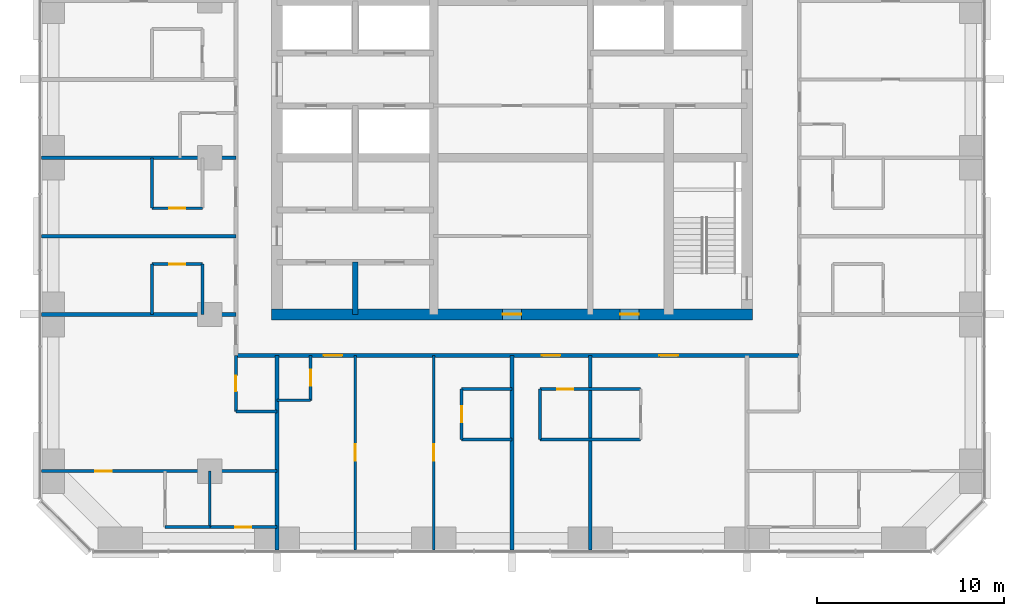
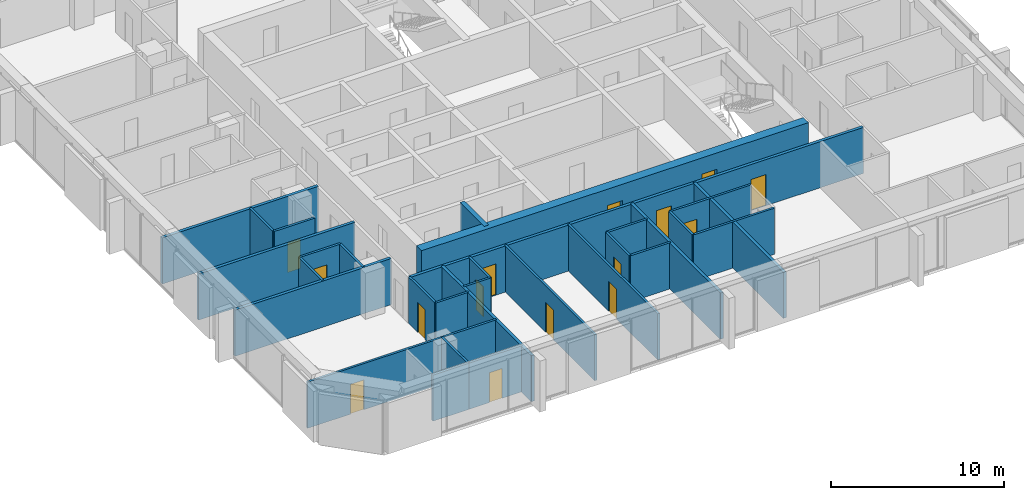
# One storey, part 8 of 13: 30 walls, 15 doors, 15 openings.
"""IFC4 building model written with IfcOpenShell, lengths in metres."""

from ifc_helpers import new_model, si_unit, direction, frame, frame_2d, origin, place, context, subcontext, project, spatial, rectangle, extrude, material, layer, layer_set, type_object, element, fill, save


model = new_model("IFC4")

# Units and contexts
model_context = context("Model", 3, precision=1e-05, world=origin(), true_north=direction((0.0, 1.0)))
body_context = subcontext(model_context, "Body", "Model", "MODEL_VIEW")
ifc_project = project(units=[si_unit("LENGTHUNIT", "METRE"), si_unit("AREAUNIT", "SQUARE_METRE"), si_unit("VOLUMEUNIT", "CUBIC_METRE"), si_unit("PLANEANGLEUNIT", "RADIAN"), si_unit("MASSUNIT", "GRAM", prefix="KILO")], contexts=[model_context])

# Site, building, storey
site_placement = place(None, origin())
site = spatial("IfcSite", under=ifc_project, at=site_placement, CompositionType="ELEMENT")
building_placement = place(site_placement, origin())
building = spatial("IfcBuilding", under=site, at=building_placement, Name="Dunama Terrace Hotel", CompositionType="ELEMENT")
storey_placement = place(building_placement, frame((0.0, 0.0, 205.800048828125)))
storey = spatial("IfcBuildingStorey", under=building, at=storey_placement, Name="L53", CompositionType="ELEMENT", Elevation=205.800048828125)

# Walls
ifc_material_1 = material(Name="Gypsum board partition", Category="masonry")
ifc_layer_1 = layer(ifc_material_1, 0.14990234375)
ifc_layer_set_1 = layer_set([ifc_layer_1], Name="Bathroom partition 150")
wall_type_1 = type_object("IfcWallType", Name="Bathroom partition 150", PredefinedType="PARTITIONING", material=ifc_layer_set_1)
for number, where, z_axis, x_axis, name in (
    (1, (10.10009765625, 16.800048828125, 0.0), (0.0, 0.0, 1.0), (0.0, 1.0, 0.0), "Bathroom partition 150 L53"),
    (2, (10.10009765625, 22.5, 0.0), (0.0, 0.0, 1.0), (0.0, 1.0, 0.0), "Bathroom partition 150 L53"),
    (3, (12.800048828125, 16.800048828125, 0.0), (0.0, 0.0, 1.0), (0.0, 1.0, 0.0), "Bathroom partition 150 L53"),
):
    element("IfcWall", number, at=place(storey_placement, frame(where, z_axis=z_axis, x_axis=x_axis)), inside=storey, type_object=wall_type_1, Name=name, PredefinedType="PARTITIONING", context=body_context, shape_type="SweptSolid", body=[
        extrude(rectangle(XDim=2.699951171875, YDim=0.14990234375, at=frame_2d((1.35009765625, 0.0))), origin(), (0.0, 0.0, 1.0), 3.25),
    ])

# Wall, opening, door
wall_1_placement = place(storey_placement, frame((14.60009765625, 11.60009765625, 0.0), z_axis=(0.0, 0.0, 1.0), x_axis=(0.0, 1.0, 0.0)))
wall_1 = element("IfcWall", 4, at=wall_1_placement, inside=storey, type_object=wall_type_1, Name="Bathroom partition 150 L53", PredefinedType="PARTITIONING", context=body_context, shape_type="SweptSolid", body=[
    extrude(rectangle(XDim=3.0, YDim=0.14990234375, at=frame_2d((1.5, 0.0))), origin(), (0.0, 0.0, 1.0), 3.25),
])
opening_1_placement = place(wall_1_placement, frame((1.074951171875, 0.0, 0.0)))
opening_1 = element("IfcOpeningElement", 5, at=opening_1_placement, cuts=wall_1, Name="Opening L53-54-041", PredefinedType="OPENING", context=body_context, shape_type="SweptSolid", body=[
    extrude(rectangle(XDim=0.85009765625, YDim=2.10009765625, at=frame_2d((0.425048828125, 1.050048828125))), frame((0.0, 0.0849609375, 0.0), z_axis=(0.0, -1.0, 0.0), x_axis=(1.0, 0.0, 0.0)), (0.0, 0.0, 1.0), 0.169921875),
])
ifc_material_2 = material(Name="Timber door with steel frame", Category="steel")
door_type_1 = type_object("IfcDoorType", Name="Bathroom door 850", OperationType="SINGLE_SWING_LEFT", PredefinedType="DOOR", material=ifc_material_2)
door_1_placement = place(opening_1_placement, frame((0.85009765625, 0.0, 0.0), z_axis=(0.0, 0.0, 1.0), x_axis=(-1.0, 0.0, 0.0)))
door_1 = element("IfcDoor", 6, at=door_1_placement, inside=storey, type_object=door_type_1, Name="Door to powder room L53-54-041, type D2", OperationType="SINGLE_SWING_LEFT", OverallHeight=2.10009765625, OverallWidth=0.85009765625, PredefinedType="DOOR", context=body_context, shape_type="SweptSolid", body=[
    extrude(rectangle(XDim=0.85009765625, YDim=2.10009765625, at=frame_2d((0.425048828125, 1.050048828125))), frame((0.0, 0.025146484375, 0.0), z_axis=(0.0, -1.0, 0.0), x_axis=(1.0, 0.0, 0.0)), (0.0, 0.0, 1.0), 0.050048828125),
])
fill(opening_1, door_1)

wall_2_placement = place(storey_placement, frame((18.60009765625, 12.199951171875, 0.0), z_axis=(0.0, 0.0, 1.0), x_axis=(0.0, 1.0, 0.0)))
wall_2 = element("IfcWall", 7, at=wall_2_placement, inside=storey, type_object=wall_type_1, Name="Bathroom partition 150 L53", PredefinedType="PARTITIONING", context=body_context, shape_type="SweptSolid", body=[
    extrude(rectangle(XDim=2.400146484375, YDim=0.14990234375, at=frame_2d((1.2001953125, 0.0))), origin(), (0.0, 0.0, 1.0), 3.25),
])
opening_2_placement = place(wall_2_placement, frame((0.77490234375, 0.0, 0.0)))
opening_2 = element("IfcOpeningElement", 8, at=opening_2_placement, cuts=wall_2, Name="Opening L53-54-010", PredefinedType="OPENING", context=body_context, shape_type="SweptSolid", body=[
    extrude(rectangle(XDim=0.85009765625, YDim=2.10009765625, at=frame_2d((0.425048828125, 1.050048828125))), frame((0.0, 0.0849609375, 0.0), z_axis=(0.0, -1.0, 0.0), x_axis=(1.0, 0.0, 0.0)), (0.0, 0.0, 1.0), 0.169921875),
])
door_2_placement = place(opening_2_placement, origin())
door_2 = element("IfcDoor", 9, at=door_2_placement, inside=storey, type_object=door_type_1, Name="Door to powder room L53-54-010, type D2", OperationType="SINGLE_SWING_RIGHT", OverallHeight=2.10009765625, OverallWidth=0.85009765625, PredefinedType="DOOR", context=body_context, shape_type="SweptSolid", body=[
    extrude(rectangle(XDim=0.85009765625, YDim=2.10009765625, at=frame_2d((0.425048828125, 1.050048828125))), frame((0.0, 0.02490234375, 0.0), z_axis=(0.0, -1.0, 0.0), x_axis=(1.0, 0.0, 0.0)), (0.0, 0.0, 1.0), 0.050048828125),
])
fill(opening_2, door_2)

wall_3_placement = place(storey_placement, frame((26.699951171875, 10.10009765625, 0.0), z_axis=(0.0, 0.0, 1.0), x_axis=(0.0, 1.0, 0.0)))
wall_3 = element("IfcWall", 10, at=wall_3_placement, inside=storey, type_object=wall_type_1, Name="Bathroom partition 150 L53", PredefinedType="PARTITIONING", context=body_context, shape_type="SweptSolid", body=[
    extrude(rectangle(XDim=2.699951171875, YDim=0.14990234375, at=frame_2d((1.35009765625, 0.0))), origin(), (0.0, 0.0, 1.0), 3.25),
])
opening_3_placement = place(wall_3_placement, frame((0.925048828125, 0.0, 0.0)))
opening_3 = element("IfcOpeningElement", 11, at=opening_3_placement, cuts=wall_3, Name="Opening L53-54-013", PredefinedType="OPENING", context=body_context, shape_type="SweptSolid", body=[
    extrude(rectangle(XDim=0.85009765625, YDim=2.10009765625, at=frame_2d((0.425048828125, 1.050048828125))), frame((0.0, 0.0849609375, 0.0), z_axis=(0.0, -1.0, 0.0), x_axis=(1.0, 0.0, 0.0)), (0.0, 0.0, 1.0), 0.169921875),
])
door_3_placement = place(opening_3_placement, frame((0.85009765625, 0.0, 0.0), z_axis=(0.0, 0.0, 1.0), x_axis=(-1.0, 0.0, 0.0)))
door_3 = element("IfcDoor", 12, at=door_3_placement, inside=storey, type_object=door_type_1, Name="Door to en-suite bathroom L53-54-013, type D2", OperationType="SINGLE_SWING_RIGHT", OverallHeight=2.10009765625, OverallWidth=0.85009765625, PredefinedType="DOOR", context=body_context, shape_type="SweptSolid", body=[
    extrude(rectangle(XDim=0.85009765625, YDim=2.10009765625, at=frame_2d((0.425048828125, 1.050048828125))), frame((0.0, 0.025146484375, 0.0), z_axis=(0.0, -1.0, 0.0), x_axis=(1.0, 0.0, 0.0)), (0.0, 0.0, 1.0), 0.050048828125),
])
fill(opening_3, door_3)

# Wall
wall_4_placement = place(storey_placement, frame((30.89990234375, 10.10009765625, 0.0), z_axis=(0.0, 0.0, 1.0), x_axis=(0.0, 1.0, 0.0)))
element("IfcWall", 13, at=wall_4_placement, inside=storey, type_object=wall_type_1, Name="Bathroom partition 150 L53", PredefinedType="PARTITIONING", context=body_context, shape_type="SweptSolid", body=[
    extrude(rectangle(XDim=2.699951171875, YDim=0.14990234375, at=frame_2d((1.35009765625, 0.0))), origin(), (0.0, 0.0, 1.0), 3.25),
])

# Wall, opening, door
wall_5_placement = place(storey_placement, frame((13.199951171875, 5.39990234375, 0.0), z_axis=(0.0, 0.0, 1.0), x_axis=(1.0, 0.0, 0.0)))
wall_5 = element("IfcWall", 14, at=wall_5_placement, inside=storey, type_object=wall_type_1, Name="Bathroom partition 150 L53", PredefinedType="PARTITIONING", context=body_context, shape_type="SweptSolid", body=[
    extrude(rectangle(XDim=3.60009765625, YDim=0.14990234375, at=frame_2d((1.800048828125, 0.0))), origin(), (0.0, 0.0, 1.0), 3.25),
])
opening_4_placement = place(wall_5_placement, frame((1.375, 0.0, 0.0)))
opening_4 = element("IfcOpeningElement", 15, at=opening_4_placement, cuts=wall_5, Name="Opening L53-54-043", PredefinedType="OPENING", context=body_context, shape_type="SweptSolid", body=[
    extrude(rectangle(XDim=0.85009765625, YDim=2.10009765625, at=frame_2d((0.425048828125, 1.050048828125))), frame((0.0, 0.0849609375, 0.0), z_axis=(0.0, -1.0, 0.0), x_axis=(1.0, 0.0, 0.0)), (0.0, 0.0, 1.0), 0.169921875),
])
door_4_placement = place(opening_4_placement, origin())
door_4 = element("IfcDoor", 16, at=door_4_placement, inside=storey, type_object=door_type_1, Name="Door to en-suite bathroom L53-54-043, type D2", OperationType="SINGLE_SWING_RIGHT", OverallHeight=2.10009765625, OverallWidth=0.85009765625, PredefinedType="DOOR", context=body_context, shape_type="SweptSolid", body=[
    extrude(rectangle(XDim=0.85009765625, YDim=2.10009765625, at=frame_2d((0.425048828125, 1.050048828125))), frame((0.0, 0.02490234375, 0.0), z_axis=(0.0, -1.0, 0.0), x_axis=(1.0, 0.0, 0.0)), (0.0, 0.0, 1.0), 0.050048828125),
])
fill(opening_4, door_4)

# Walls
wall_6_placement = place(storey_placement, frame((26.699951171875, 10.10009765625, 0.0), z_axis=(0.0, 0.0, 1.0), x_axis=(1.0, 0.0, 0.0)))
element("IfcWall", 17, at=wall_6_placement, inside=storey, type_object=wall_type_1, Name="Bathroom partition 150 L53", PredefinedType="PARTITIONING", context=body_context, shape_type="SweptSolid", body=[
    extrude(rectangle(XDim=2.699951171875, YDim=0.14990234375, at=frame_2d((1.35009765625, 0.0))), origin(), (0.0, 0.0, 1.0), 3.25),
])
wall_7_placement = place(storey_placement, frame((30.89990234375, 10.10009765625, 0.0), z_axis=(0.0, 0.0, 1.0), x_axis=(1.0, 0.0, 0.0)))
element("IfcWall", 18, at=wall_7_placement, inside=storey, type_object=wall_type_1, Name="Bathroom partition 150 L53", PredefinedType="PARTITIONING", context=body_context, shape_type="SweptSolid", body=[
    extrude(rectangle(XDim=5.400146484375, YDim=0.14990234375, at=frame_2d((2.7001953125, 0.0))), origin(), (0.0, 0.0, 1.0), 3.25),
])
wall_8_placement = place(storey_placement, frame((14.60009765625, 11.60009765625, 0.0), z_axis=(0.0, 0.0, 1.0), x_axis=(1.0, 0.0, 0.0)))
element("IfcWall", 19, at=wall_8_placement, inside=storey, type_object=wall_type_1, Name="Bathroom partition 150 L53", PredefinedType="PARTITIONING", context=body_context, shape_type="SweptSolid", body=[
    extrude(rectangle(XDim=2.199951171875, YDim=0.14990234375, at=frame_2d((1.10009765625, 0.0))), origin(), (0.0, 0.0, 1.0), 3.25),
])
wall_9_placement = place(storey_placement, frame((16.800048828125, 12.199951171875, 0.0), z_axis=(0.0, 0.0, 1.0), x_axis=(1.0, 0.0, 0.0)))
element("IfcWall", 20, at=wall_9_placement, inside=storey, type_object=wall_type_1, Name="Bathroom partition 150 L53", PredefinedType="PARTITIONING", context=body_context, shape_type="SweptSolid", body=[
    extrude(rectangle(XDim=1.800048828125, YDim=0.14990234375, at=frame_2d((0.89990234375, 0.0))), origin(), (0.0, 0.0, 1.0), 3.25),
])
wall_10_placement = place(storey_placement, frame((26.699951171875, 12.800048828125, 0.0), z_axis=(0.0, 0.0, 1.0), x_axis=(1.0, 0.0, 0.0)))
element("IfcWall", 21, at=wall_10_placement, inside=storey, type_object=wall_type_1, Name="Bathroom partition 150 L53", PredefinedType="PARTITIONING", context=body_context, shape_type="SweptSolid", body=[
    extrude(rectangle(XDim=2.699951171875, YDim=0.14990234375, at=frame_2d((1.35009765625, 0.0))), origin(), (0.0, 0.0, 1.0), 3.25),
])

# Wall, opening, door
wall_11_placement = place(storey_placement, frame((30.89990234375, 12.800048828125, 0.0), z_axis=(0.0, 0.0, 1.0), x_axis=(1.0, 0.0, 0.0)))
wall_11 = element("IfcWall", 22, at=wall_11_placement, inside=storey, type_object=wall_type_1, Name="Bathroom partition 150 L53", PredefinedType="PARTITIONING", context=body_context, shape_type="SweptSolid", body=[
    extrude(rectangle(XDim=5.400146484375, YDim=0.14990234375, at=frame_2d((2.7001953125, 0.0))), origin(), (0.0, 0.0, 1.0), 3.25),
])
opening_5_placement = place(wall_11_placement, frame((0.925048828125, 0.0, 0.0)))
opening_5 = element("IfcOpeningElement", 23, at=opening_5_placement, cuts=wall_11, Name="Opening L53-54-015", PredefinedType="OPENING", context=body_context, shape_type="SweptSolid", body=[
    extrude(rectangle(XDim=0.85009765625, YDim=2.10009765625, at=frame_2d((0.425048828125, 1.050048828125))), frame((0.0, 0.0849609375, 0.0), z_axis=(0.0, -1.0, 0.0), x_axis=(1.0, 0.0, 0.0)), (0.0, 0.0, 1.0), 0.169921875),
])
door_5_placement = place(opening_5_placement, frame((0.85009765625, 0.0, 0.0), z_axis=(0.0, 0.0, 1.0), x_axis=(-1.0, 0.0, 0.0)))
door_5 = element("IfcDoor", 24, at=door_5_placement, inside=storey, type_object=door_type_1, Name="Door to en-suite bathroom L53-54-015, type D2", OperationType="SINGLE_SWING_LEFT", OverallHeight=2.10009765625, OverallWidth=0.85009765625, PredefinedType="DOOR", context=body_context, shape_type="SweptSolid", body=[
    extrude(rectangle(XDim=0.85009765625, YDim=2.10009765625, at=frame_2d((0.425048828125, 1.050048828125))), frame((0.0, 0.025146484375, 0.0), z_axis=(0.0, -1.0, 0.0), x_axis=(1.0, 0.0, 0.0)), (0.0, 0.0, 1.0), 0.050048828125),
])
fill(opening_5, door_5)

wall_12_placement = place(storey_placement, frame((10.10009765625, 19.5, 0.0), z_axis=(0.0, 0.0, 1.0), x_axis=(1.0, 0.0, 0.0)))
wall_12 = element("IfcWall", 25, at=wall_12_placement, inside=storey, type_object=wall_type_1, Name="Bathroom partition 150 L53", PredefinedType="PARTITIONING", context=body_context, shape_type="SweptSolid", body=[
    extrude(rectangle(XDim=2.699951171875, YDim=0.14990234375, at=frame_2d((1.35009765625, 0.0))), origin(), (0.0, 0.0, 1.0), 3.25),
])
opening_6_placement = place(wall_12_placement, frame((0.925048828125, 0.0, 0.0)))
opening_6 = element("IfcOpeningElement", 26, at=opening_6_placement, cuts=wall_12, Name="Opening L53-54-030", PredefinedType="OPENING", context=body_context, shape_type="SweptSolid", body=[
    extrude(rectangle(XDim=0.85009765625, YDim=2.10009765625, at=frame_2d((0.425048828125, 1.050048828125))), frame((0.0, 0.0849609375, 0.0), z_axis=(0.0, -1.0, 0.0), x_axis=(1.0, 0.0, 0.0)), (0.0, 0.0, 1.0), 0.169921875),
])
door_6_placement = place(opening_6_placement, frame((0.85009765625, 0.0, 0.0), z_axis=(0.0, 0.0, 1.0), x_axis=(-1.0, 0.0, 0.0)))
door_6 = element("IfcDoor", 27, at=door_6_placement, inside=storey, type_object=door_type_1, Name="Door to en-suite bathroom L53-54-030, type D2", OperationType="SINGLE_SWING_RIGHT", OverallHeight=2.10009765625, OverallWidth=0.85009765625, PredefinedType="DOOR", context=body_context, shape_type="SweptSolid", body=[
    extrude(rectangle(XDim=0.85009765625, YDim=2.10009765625, at=frame_2d((0.425048828125, 1.050048828125))), frame((0.0, 0.025146484375, 0.0), z_axis=(0.0, -1.0, 0.0), x_axis=(1.0, 0.0, 0.0)), (0.0, 0.0, 1.0), 0.050048828125),
])
fill(opening_6, door_6)

wall_13_placement = place(storey_placement, frame((10.10009765625, 22.5, 0.0), z_axis=(0.0, 0.0, 1.0), x_axis=(1.0, 0.0, 0.0)))
wall_13 = element("IfcWall", 28, at=wall_13_placement, inside=storey, type_object=wall_type_1, Name="Bathroom partition 150 L53", PredefinedType="PARTITIONING", context=body_context, shape_type="SweptSolid", body=[
    extrude(rectangle(XDim=2.699951171875, YDim=0.14990234375, at=frame_2d((1.35009765625, 0.0))), origin(), (0.0, 0.0, 1.0), 3.25),
])
opening_7_placement = place(wall_13_placement, frame((0.925048828125, 0.0, 0.0)))
opening_7 = element("IfcOpeningElement", 29, at=opening_7_placement, cuts=wall_13, Name="Opening L53-54-032", PredefinedType="OPENING", context=body_context, shape_type="SweptSolid", body=[
    extrude(rectangle(XDim=0.85009765625, YDim=2.10009765625, at=frame_2d((0.425048828125, 1.050048828125))), frame((0.0, 0.0849609375, 0.0), z_axis=(0.0, -1.0, 0.0), x_axis=(1.0, 0.0, 0.0)), (0.0, 0.0, 1.0), 0.169921875),
])
door_7_placement = place(opening_7_placement, origin())
door_7 = element("IfcDoor", 30, at=door_7_placement, inside=storey, type_object=door_type_1, Name="Door to en-suite bathroom L53-54-032, type D2", OperationType="SINGLE_SWING_LEFT", OverallHeight=2.10009765625, OverallWidth=0.85009765625, PredefinedType="DOOR", context=body_context, shape_type="SweptSolid", body=[
    extrude(rectangle(XDim=0.85009765625, YDim=2.10009765625, at=frame_2d((0.425048828125, 1.050048828125))), frame((0.0, 0.02490234375, 0.0), z_axis=(0.0, -1.0, 0.0), x_axis=(1.0, 0.0, 0.0)), (0.0, 0.0, 1.0), 0.050048828125),
])
fill(opening_7, door_7)

# Wall
ifc_material_3 = material(Name="Concrete C50/60", Category="concrete")
ifc_layer_2 = layer(ifc_material_3, 0.300048828125)
ifc_layer_set_2 = layer_set([ifc_layer_2], Name="Core inner wall 300")
wall_type_2 = type_object("IfcWallType", Name="Core inner wall 300", PredefinedType="SHEAR", material=ifc_layer_set_2)
wall_14_placement = place(storey_placement, frame((21.0, 16.800048828125, -0.35009765625), z_axis=(0.0, 0.0, 1.0), x_axis=(0.0, 1.0, 0.0)))
element("IfcWall", 31, at=wall_14_placement, inside=storey, type_object=wall_type_2, Name="Core inner wall 300 L53", PredefinedType="SHEAR", context=body_context, shape_type="SweptSolid", body=[
    extrude(rectangle(XDim=2.800048828125, YDim=0.300048828125, at=frame_2d((1.39990234375, 0.0))), origin(), (0.0, 0.0, 1.0), 3.60009765625),
])

# Wall, openings, doors
ifc_material_4 = material(Name="Concrete C50/60", Category="concrete")
ifc_layer_3 = layer(ifc_material_4, 0.60009765625)
ifc_layer_set_3 = layer_set([ifc_layer_3], Name="Core wall 600")
wall_type_3 = type_object("IfcWallType", Name="Core wall 600", PredefinedType="SHEAR", material=ifc_layer_set_3)
wall_15_placement = place(storey_placement, frame((16.5, 16.800048828125, -0.35009765625), z_axis=(0.0, 0.0, 1.0), x_axis=(1.0, 0.0, 0.0)))
wall_15 = element("IfcWall", 32, at=wall_15_placement, inside=storey, type_object=wall_type_3, Name="Core wall south L53", PredefinedType="SHEAR", context=body_context, shape_type="SweptSolid", body=[
    extrude(rectangle(XDim=25.800048828125, YDim=0.60009765625, at=frame_2d((12.89990234375, 0.0))), origin(), (0.0, 0.0, 1.0), 3.60009765625),
])
opening_8_placement = place(wall_15_placement, frame((12.39990234375, 0.0, 0.35009765625)))
opening_8 = element("IfcOpeningElement", 33, at=opening_8_placement, cuts=wall_15, Name="Opening L53-54-075", PredefinedType="OPENING", context=body_context, shape_type="SweptSolid", body=[
    extrude(rectangle(XDim=1.0, YDim=2.10009765625, at=frame_2d((0.5, 1.050048828125))), frame((0.0, 0.31005859375, 0.0), z_axis=(0.0, -1.0, 0.0), x_axis=(1.0, 0.0, 0.0)), (0.0, 0.0, 1.0), 0.6201171875),
])
opening_9_placement = place(wall_15_placement, frame((18.699951171875, 0.0, 0.35009765625)))
opening_9 = element("IfcOpeningElement", 34, at=opening_9_placement, cuts=wall_15, Name="Opening L53-54-077", PredefinedType="OPENING", context=body_context, shape_type="SweptSolid", body=[
    extrude(rectangle(XDim=1.0, YDim=2.10009765625, at=frame_2d((0.5, 1.050048828125))), frame((0.0, 0.31005859375, 0.0), z_axis=(0.0, -1.0, 0.0), x_axis=(1.0, 0.0, 0.0)), (0.0, 0.0, 1.0), 0.6201171875),
])
ifc_material_5 = material(Name="Timber door with steel frame", Category="steel")
door_type_2 = type_object("IfcDoorType", Name="Service door 1000", OperationType="SINGLE_SWING_LEFT", PredefinedType="DOOR", material=ifc_material_5)
door_8_placement = place(opening_8_placement, origin())
door_8 = element("IfcDoor", 35, at=door_8_placement, inside=storey, type_object=door_type_2, Name="Door to corridor air handling room L53-54-075, type D7", OperationType="SINGLE_SWING_LEFT", OverallHeight=2.10009765625, OverallWidth=1.0, PredefinedType="DOOR", context=body_context, shape_type="SweptSolid", body=[
    extrude(rectangle(XDim=1.0, YDim=2.10009765625, at=frame_2d((0.5, 1.050048828125))), frame((0.0, 0.02490234375, 0.0), z_axis=(0.0, -1.0, 0.0), x_axis=(1.0, 0.0, 0.0)), (0.0, 0.0, 1.0), 0.050048828125),
])
fill(opening_8, door_8)
door_9_placement = place(opening_9_placement, origin())
door_9 = element("IfcDoor", 36, at=door_9_placement, inside=storey, type_object=door_type_2, Name="Door to water riser room L53-54-077, type D7", OperationType="SINGLE_SWING_RIGHT", OverallHeight=2.10009765625, OverallWidth=1.0, PredefinedType="DOOR", context=body_context, shape_type="SweptSolid", body=[
    extrude(rectangle(XDim=1.0, YDim=2.10009765625, at=frame_2d((0.5, 1.050048828125))), frame((0.0, 0.02490234375, 0.0), z_axis=(0.0, -1.0, 0.0), x_axis=(1.0, 0.0, 0.0)), (0.0, 0.0, 1.0), 0.050048828125),
])
fill(opening_9, door_9)

ifc_material_6 = material(Name="Concrete blockwork", Category="masonry")
ifc_layer_4 = layer(ifc_material_6, 0.199951171875)
ifc_layer_set_4 = layer_set([ifc_layer_4], Name="Corridor partition 200")
wall_type_4 = type_object("IfcWallType", Name="Corridor partition 200", PredefinedType="PARTITIONING", material=ifc_layer_set_4)
wall_16_placement = place(storey_placement, frame((44.800048828125, 14.60009765625, 0.0), z_axis=(0.0, 0.0, 1.0), x_axis=(-1.0, 0.0, 0.0)))
wall_16 = element("IfcWall", 37, at=wall_16_placement, inside=storey, type_object=wall_type_4, Name="Corridor partition 200 L53", PredefinedType="PARTITIONING", context=body_context, shape_type="SweptSolid", body=[
    extrude(rectangle(XDim=30.199951171875, YDim=0.199951171875, at=frame_2d((15.10009765625, 0.0))), origin(), (0.0, 0.0, 1.0), 3.25),
])
opening_10_placement = place(wall_16_placement, frame((24.5, 0.0, 0.0)))
opening_10 = element("IfcOpeningElement", 38, at=opening_10_placement, cuts=wall_16, Name="Opening L53-54-009", PredefinedType="OPENING", context=body_context, shape_type="SweptSolid", body=[
    extrude(rectangle(XDim=1.0, YDim=2.199951171875, at=frame_2d((0.5, 1.10009765625))), frame((0.0, 0.10986328125, 0.0), z_axis=(0.0, -1.0, 0.0), x_axis=(1.0, 0.0, 0.0)), (0.0, 0.0, 1.0), 0.219970703125),
])
opening_11_placement = place(wall_16_placement, frame((12.800048828125, 0.0, 0.0)))
opening_11 = element("IfcOpeningElement", 39, at=opening_11_placement, cuts=wall_16, Name="Opening L53-54-014", PredefinedType="OPENING", context=body_context, shape_type="SweptSolid", body=[
    extrude(rectangle(XDim=1.0, YDim=2.199951171875, at=frame_2d((0.5, 1.10009765625))), frame((0.0, 0.10986328125, 0.0), z_axis=(0.0, -1.0, 0.0), x_axis=(1.0, 0.0, 0.0)), (0.0, 0.0, 1.0), 0.219970703125),
])
opening_12_placement = place(wall_16_placement, frame((6.5, 0.0, 0.0)))
opening_12 = element("IfcOpeningElement", 40, at=opening_12_placement, cuts=wall_16, Name="Opening L53-54-016", PredefinedType="OPENING", context=body_context, shape_type="SweptSolid", body=[
    extrude(rectangle(XDim=1.0, YDim=2.199951171875, at=frame_2d((0.5, 1.10009765625))), frame((0.0, 0.10986328125, 0.0), z_axis=(0.0, -1.0, 0.0), x_axis=(1.0, 0.0, 0.0)), (0.0, 0.0, 1.0), 0.219970703125),
])
ifc_material_7 = material(Name="Timber door with steel frame", Category="steel")
door_type_3 = type_object("IfcDoorType", Name="Guest room door 1000", OperationType="SINGLE_SWING_LEFT", PredefinedType="DOOR", material=ifc_material_7)
door_10_placement = place(opening_10_placement, origin())
door_10 = element("IfcDoor", 41, at=door_10_placement, inside=storey, type_object=door_type_3, Name="Door to ambassador suite living room L53-54-009, type D1", OperationType="SINGLE_SWING_RIGHT", OverallHeight=2.199951171875, OverallWidth=1.0, PredefinedType="DOOR", context=body_context, shape_type="SweptSolid", body=[
    extrude(rectangle(XDim=1.0, YDim=2.199951171875, at=frame_2d((0.5, 1.10009765625))), frame((0.0, 0.02490234375, 0.0), z_axis=(0.0, -1.0, 0.0), x_axis=(1.0, 0.0, 0.0)), (0.0, 0.0, 1.0), 0.050048828125),
])
fill(opening_10, door_10)
door_11_placement = place(opening_11_placement, origin())
door_11 = element("IfcDoor", 42, at=door_11_placement, inside=storey, type_object=door_type_3, Name="Door to club room L53-54-014, type D1", OperationType="SINGLE_SWING_LEFT", OverallHeight=2.199951171875, OverallWidth=1.0, PredefinedType="DOOR", context=body_context, shape_type="SweptSolid", body=[
    extrude(rectangle(XDim=1.0, YDim=2.199951171875, at=frame_2d((0.5, 1.10009765625))), frame((0.0, 0.02490234375, 0.0), z_axis=(0.0, -1.0, 0.0), x_axis=(1.0, 0.0, 0.0)), (0.0, 0.0, 1.0), 0.050048828125),
])
fill(opening_11, door_11)
door_12_placement = place(opening_12_placement, origin())
door_12 = element("IfcDoor", 43, at=door_12_placement, inside=storey, type_object=door_type_3, Name="Door to junior suite L53-54-016, type D1", OperationType="SINGLE_SWING_RIGHT", OverallHeight=2.199951171875, OverallWidth=1.0, PredefinedType="DOOR", context=body_context, shape_type="SweptSolid", body=[
    extrude(rectangle(XDim=1.0, YDim=2.199951171875, at=frame_2d((0.5, 1.10009765625))), frame((0.0, 0.02490234375, 0.0), z_axis=(0.0, -1.0, 0.0), x_axis=(1.0, 0.0, 0.0)), (0.0, 0.0, 1.0), 0.050048828125),
])
fill(opening_12, door_12)

# Walls
ifc_material_8 = material(Name="Concrete blockwork", Category="masonry")
ifc_layer_5 = layer(ifc_material_8, 0.199951171875)
ifc_layer_set_5 = layer_set([ifc_layer_5], Name="Party wall 200")
wall_type_5 = type_object("IfcWallType", Name="Party wall 200", PredefinedType="PARTITIONING", material=ifc_layer_set_5)
for number, where, z_axis, x_axis, name in (
    (44, (16.800048828125, 4.181884765625, 0.0), (0.0, 0.0, 1.0), (0.0, 1.0, 0.0), "Party wall 200 L53"),
    (45, (29.39990234375, 4.181884765625, 0.0), (0.0, 0.0, 1.0), (0.0, 1.0, 0.0), "Party wall 200 L53"),
    (46, (33.60009765625, 4.181884765625, 0.0), (0.0, 0.0, 1.0), (0.0, 1.0, 0.0), "Party wall 200 L53"),
    (47, (4.181884765625, 16.800048828125, 0.0), (0.0, 0.0, 1.0), (1.0, 0.0, 0.0), "Party wall 200 L53"),
    (48, (4.181884765625, 21.0, 0.0), (0.0, 0.0, 1.0), (1.0, 0.0, 0.0), "Party wall 200 L53"),
    (49, (4.181884765625, 25.199951171875, 0.0), (0.0, 0.0, 1.0), (1.0, 0.0, 0.0), "Party wall 200 L53"),
):
    element("IfcWall", number, at=place(storey_placement, frame(where, z_axis=z_axis, x_axis=x_axis)), inside=storey, type_object=wall_type_5, Name=name, PredefinedType="PARTITIONING", context=body_context, shape_type="SweptSolid", body=[
        extrude(rectangle(XDim=10.418212890625, YDim=0.199951171875, at=frame_2d((5.208984375, 0.0))), origin(), (0.0, 0.0, 1.0), 3.25),
    ])
ifc_material_9 = material(Name="Gypsum board partition", Category="masonry")
ifc_layer_6 = layer(ifc_material_9, 0.14990234375)
ifc_layer_set_6 = layer_set([ifc_layer_6], Name="Room partition 150")
wall_type_6 = type_object("IfcWallType", Name="Room partition 150", PredefinedType="PARTITIONING", material=ifc_layer_set_6)
wall_17_placement = place(storey_placement, frame((13.199951171875, 5.39990234375, 0.0), z_axis=(0.0, 0.0, 1.0), x_axis=(0.0, 1.0, 0.0)))
element("IfcWall", 50, at=wall_17_placement, inside=storey, type_object=wall_type_6, Name="Room partition 150 L53", PredefinedType="PARTITIONING", context=body_context, shape_type="SweptSolid", body=[
    extrude(rectangle(XDim=3.0, YDim=0.14990234375, at=frame_2d((1.5, 0.0))), origin(), (0.0, 0.0, 1.0), 3.25),
])

# Wall, opening, door
wall_18_placement = place(storey_placement, frame((21.0, 4.181884765625, 0.0), z_axis=(0.0, 0.0, 1.0), x_axis=(0.0, 1.0, 0.0)))
wall_18 = element("IfcWall", 51, at=wall_18_placement, inside=storey, type_object=wall_type_6, Name="Room partition 150 L53", PredefinedType="PARTITIONING", context=body_context, shape_type="SweptSolid", body=[
    extrude(rectangle(XDim=10.418212890625, YDim=0.14990234375, at=frame_2d((5.208984375, 0.0))), origin(), (0.0, 0.0, 1.0), 3.25),
])
opening_13_placement = place(wall_18_placement, frame((4.76806640625, 0.0, 0.0)))
opening_13 = element("IfcOpeningElement", 52, at=opening_13_placement, cuts=wall_18, Name="Opening L53-54-011", PredefinedType="OPENING", context=body_context, shape_type="SweptSolid", body=[
    extrude(rectangle(XDim=0.89990234375, YDim=2.10009765625, at=frame_2d((0.449951171875, 1.050048828125))), frame((0.0, 0.0849609375, 0.0), z_axis=(0.0, -1.0, 0.0), x_axis=(1.0, 0.0, 0.0)), (0.0, 0.0, 1.0), 0.169921875),
])
ifc_material_10 = material(Name="Timber door with steel frame", Category="steel")
door_type_4 = type_object("IfcDoorType", Name="Suite internal door 900", OperationType="SINGLE_SWING_LEFT", PredefinedType="DOOR", material=ifc_material_10)
door_13_placement = place(opening_13_placement, origin())
door_13 = element("IfcDoor", 53, at=door_13_placement, inside=storey, type_object=door_type_4, Name="Door to ambassador suite study L53-54-011, type D16", OperationType="SINGLE_SWING_RIGHT", OverallHeight=2.10009765625, OverallWidth=0.89990234375, PredefinedType="DOOR", context=body_context, shape_type="SweptSolid", body=[
    extrude(rectangle(XDim=0.89990234375, YDim=2.10009765625, at=frame_2d((0.449951171875, 1.050048828125))), frame((0.0, 0.02490234375, 0.0), z_axis=(0.0, -1.0, 0.0), x_axis=(1.0, 0.0, 0.0)), (0.0, 0.0, 1.0), 0.050048828125),
])
fill(opening_13, door_13)

wall_19_placement = place(storey_placement, frame((25.199951171875, 4.181884765625, 0.0), z_axis=(0.0, 0.0, 1.0), x_axis=(0.0, 1.0, 0.0)))
wall_19 = element("IfcWall", 54, at=wall_19_placement, inside=storey, type_object=wall_type_6, Name="Room partition 150 L53", PredefinedType="PARTITIONING", context=body_context, shape_type="SweptSolid", body=[
    extrude(rectangle(XDim=10.418212890625, YDim=0.14990234375, at=frame_2d((5.208984375, 0.0))), origin(), (0.0, 0.0, 1.0), 3.25),
])
opening_14_placement = place(wall_19_placement, frame((4.76806640625, 0.0, 0.0)))
opening_14 = element("IfcOpeningElement", 55, at=opening_14_placement, cuts=wall_19, Name="Opening L53-54-012", PredefinedType="OPENING", context=body_context, shape_type="SweptSolid", body=[
    extrude(rectangle(XDim=0.89990234375, YDim=2.10009765625, at=frame_2d((0.449951171875, 1.050048828125))), frame((0.0, 0.0849609375, 0.0), z_axis=(0.0, -1.0, 0.0), x_axis=(1.0, 0.0, 0.0)), (0.0, 0.0, 1.0), 0.169921875),
])
door_14_placement = place(opening_14_placement, frame((0.89990234375, 0.0, 0.0), z_axis=(0.0, 0.0, 1.0), x_axis=(-1.0, 0.0, 0.0)))
door_14 = element("IfcDoor", 56, at=door_14_placement, inside=storey, type_object=door_type_4, Name="Door to ambassador suite bedroom L53-54-012, type D16", OperationType="SINGLE_SWING_LEFT", OverallHeight=2.10009765625, OverallWidth=0.89990234375, PredefinedType="DOOR", context=body_context, shape_type="SweptSolid", body=[
    extrude(rectangle(XDim=0.89990234375, YDim=2.10009765625, at=frame_2d((0.449951171875, 1.050048828125))), frame((0.0, 0.025146484375, 0.0), z_axis=(0.0, -1.0, 0.0), x_axis=(1.0, 0.0, 0.0)), (0.0, 0.0, 1.0), 0.050048828125),
])
fill(opening_14, door_14)

# Wall
wall_20_placement = place(storey_placement, frame((10.800048828125, 5.39990234375, 0.0), z_axis=(0.0, 0.0, 1.0), x_axis=(1.0, 0.0, 0.0)))
element("IfcWall", 57, at=wall_20_placement, inside=storey, type_object=wall_type_6, Name="Room partition 150 L53", PredefinedType="PARTITIONING", context=body_context, shape_type="SweptSolid", body=[
    extrude(rectangle(XDim=2.39990234375, YDim=0.14990234375, at=frame_2d((1.199951171875, 0.0))), origin(), (0.0, 0.0, 1.0), 3.25),
])

# Wall, opening, door
wall_21_placement = place(storey_placement, frame((4.181884765625, 8.39990234375, 0.0), z_axis=(0.0, 0.0, 1.0), x_axis=(1.0, 0.0, 0.0)))
wall_21 = element("IfcWall", 58, at=wall_21_placement, inside=storey, type_object=wall_type_6, Name="Room partition 150 L53", PredefinedType="PARTITIONING", context=body_context, shape_type="SweptSolid", body=[
    extrude(rectangle(XDim=12.6181640625, YDim=0.14990234375, at=frame_2d((6.30908203125, 0.0))), origin(), (0.0, 0.0, 1.0), 3.25),
])
opening_15_placement = place(wall_21_placement, frame((2.867919921875, 0.0, 0.0)))
opening_15 = element("IfcOpeningElement", 59, at=opening_15_placement, cuts=wall_21, Name="Opening L53-54-042", PredefinedType="OPENING", context=body_context, shape_type="SweptSolid", body=[
    extrude(rectangle(XDim=0.89990234375, YDim=2.10009765625, at=frame_2d((0.449951171875, 1.050048828125))), frame((0.0, 0.0849609375, 0.0), z_axis=(0.0, -1.0, 0.0), x_axis=(1.0, 0.0, 0.0)), (0.0, 0.0, 1.0), 0.169921875),
])
door_15_placement = place(opening_15_placement, frame((0.89990234375, 0.0, 0.0), z_axis=(0.0, 0.0, 1.0), x_axis=(-1.0, 0.0, 0.0)))
door_15 = element("IfcDoor", 60, at=door_15_placement, inside=storey, type_object=door_type_4, Name="Door to corner suite bedroom L53-54-042, type D16", OperationType="SINGLE_SWING_RIGHT", OverallHeight=2.10009765625, OverallWidth=0.89990234375, PredefinedType="DOOR", context=body_context, shape_type="SweptSolid", body=[
    extrude(rectangle(XDim=0.89990234375, YDim=2.10009765625, at=frame_2d((0.449951171875, 1.050048828125))), frame((0.0, 0.025146484375, 0.0), z_axis=(0.0, -1.0, 0.0), x_axis=(1.0, 0.0, 0.0)), (0.0, 0.0, 1.0), 0.050048828125),
])
fill(opening_15, door_15)

save(model, "model.ifc")
